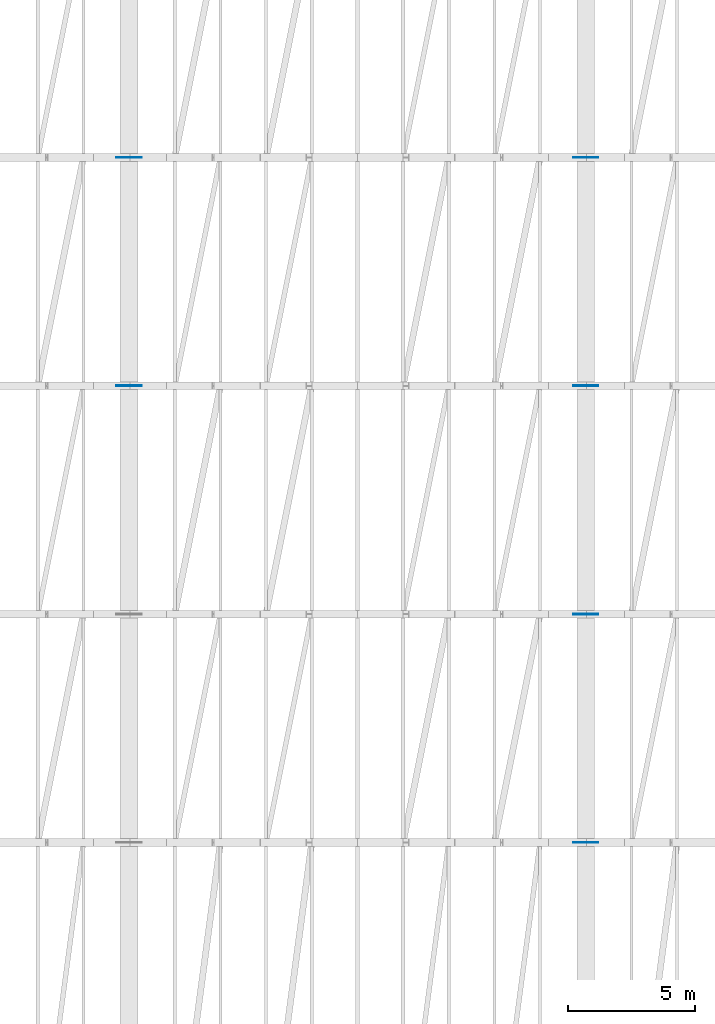
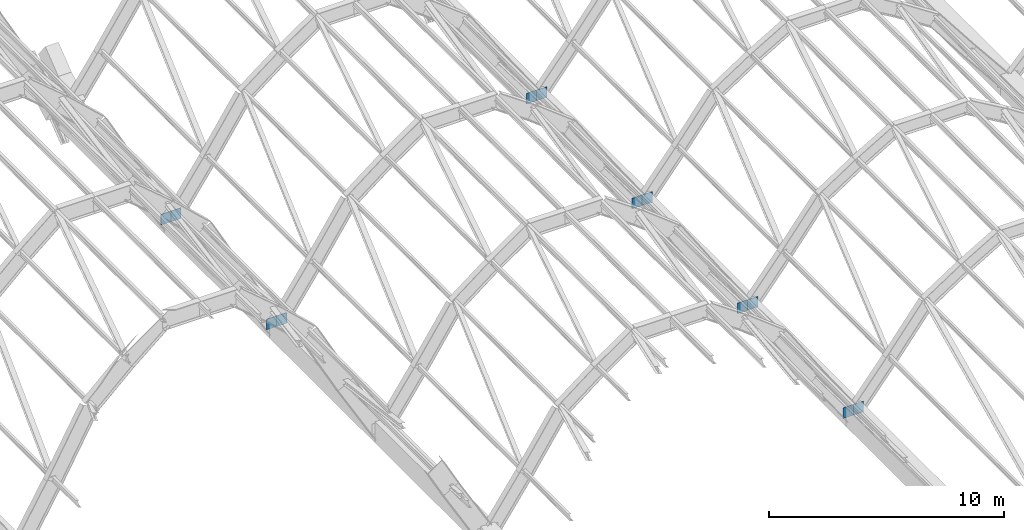
# One storey, part 73 of 86: 12 plates.
"""IFC4 building model written with IfcOpenShell, lengths in metres."""

import ifcopenshell
import ifcopenshell.guid

model = None  # the IFC model being written
_history = None  # IfcOwnerHistory: only IFC2X3 demands one
_inside = {}  # id of a spatial element -> (the spatial element, [elements in it])
_under = {}  # id of a project, library or spatial element -> (it, [spatial elements below it])
_declared = {}  # id of a project -> (the project, [libraries it declares])
_typed = {}  # id of a type object -> (the type object, [elements of that type])
_made_of = {}  # id of a material, layer set ... -> (it, [elements and type objects made of it])


def new_model(schema):
    """Start an empty IFC model of exactly this schema.

    Asked for "IFC4X3", IfcOpenShell would pick the latest addendum, in which some entities
    have other attributes; the version numbers below select the first issue.
    IFC2X3 requires an IfcOwnerHistory on every rooted entity: one is made here for all.
    """
    global model, _history
    if schema == "IFC4X3":
        model = ifcopenshell.file(schema_version=(4, 3, 0, 0))
    else:
        model = ifcopenshell.file(schema=schema)
    _inside.clear()
    _under.clear()
    _declared.clear()
    _typed.clear()
    _made_of.clear()
    _history = None
    if model.schema == "IFC2X3":
        org = make("IfcOrganization", Name="unknown")
        user = make(
            "IfcPersonAndOrganization",
            ThePerson=make("IfcPerson", FamilyName="unknown"),
            TheOrganization=org,
        )
        app = make(
            "IfcApplication",
            ApplicationDeveloper=org,
            Version="unknown",
            ApplicationFullName="unknown",
            ApplicationIdentifier="unknown",
        )
        _history = make(
            "IfcOwnerHistory",
            OwningUser=user,
            OwningApplication=app,
            ChangeAction="ADDED",
            CreationDate=0,
        )
    return model


def make(cls, **values):
    """One entity of the class cls with the attributes given. An attribute that is None is left unset."""
    return model.create_entity(
        cls, **{name: value for name, value in values.items() if value is not None}
    )


def rooted(cls, **values):
    """An entity with a GlobalId (a new one), such as an element, a storey or a relation."""
    return make(cls, GlobalId=ifcopenshell.guid.new(), OwnerHistory=_history, **values)


def si_unit(unit_type, name, prefix=None):
    """IfcSIUnit, for example si_unit("LENGTHUNIT", "METRE", prefix="MILLI")."""
    return make("IfcSIUnit", UnitType=unit_type, Prefix=prefix, Name=name)


def assignment(units):
    """IfcUnitAssignment: the units of a project."""
    return None if units is None else make("IfcUnitAssignment", Units=units)


def point(xyz):
    """IfcCartesianPoint."""
    return None if xyz is None else make("IfcCartesianPoint", Coordinates=xyz)


def direction(xyz):
    """IfcDirection."""
    return None if xyz is None else make("IfcDirection", DirectionRatios=xyz)


def frame(location, z_axis=None, x_axis=None):
    """IfcAxis2Placement3D, a coordinate frame: its origin and axes. An axis left out is left unset."""
    return make(
        "IfcAxis2Placement3D",
        Location=point(location),
        Axis=direction(z_axis),
        RefDirection=direction(x_axis),
    )


def frame_2d(location, x_axis=None):
    """IfcAxis2Placement2D, a coordinate frame in the plane: its origin and x axis."""
    return make(
        "IfcAxis2Placement2D", Location=point(location), RefDirection=direction(x_axis)
    )


def origin():
    """The frame at (0, 0, 0) with its axes left unset."""
    return frame((0.0, 0.0, 0.0))


def origin_2d():
    """The frame at (0, 0) in the plane with its x axis left unset."""
    return frame_2d((0.0, 0.0))


def place(relative_to, where):
    """IfcLocalPlacement: puts the frame where relative to a parent placement (None: the world)."""
    return make(
        "IfcLocalPlacement", PlacementRelTo=relative_to, RelativePlacement=where
    )


def context(
    kind, dimensions, precision=None, world=None, true_north=None, identifier=None
):
    """IfcGeometricRepresentationContext, for example the 3D "Model" context."""
    return make(
        "IfcGeometricRepresentationContext",
        ContextIdentifier=identifier,
        ContextType=kind,
        CoordinateSpaceDimension=dimensions,
        Precision=precision,
        WorldCoordinateSystem=world,
        TrueNorth=true_north,
    )


def subcontext(parent, identifier, kind, view, scale=None):
    """IfcGeometricRepresentationSubContext, for example "Body" below "Model"."""
    return make(
        "IfcGeometricRepresentationSubContext",
        ContextIdentifier=identifier,
        ContextType=kind,
        ParentContext=parent,
        TargetScale=scale,
        TargetView=view,
    )


def project(units=None, contexts=None):
    """IfcProject with its units and contexts."""
    return rooted(
        "IfcProject",
        Name="project",
        RepresentationContexts=contexts,
        UnitsInContext=assignment(units),
    )


def spatial(cls, under=None, at=None, **own):
    """A site, building, storey or space (cls), placed at a placement, below another one or the project."""
    s = rooted(cls, ObjectPlacement=at, **own)
    if under is not None:
        _under.setdefault(under.id(), (under, []))[1].append(s)
    return s


def profile(cls, at=None, kind="AREA", **sizes):
    """A parametric profile (cls). Its sizes go by their IFC names, for example OverallWidth=200.0."""
    return make(cls, ProfileType=kind, Position=at, **sizes)


def rectangle(**sizes):
    """IfcRectangleProfileDef."""
    return profile("IfcRectangleProfileDef", **sizes)


def extrude(swept, where, along, depth):
    """IfcExtrudedAreaSolid: the profile swept, set in the frame where, extruded along a direction by depth."""
    return make(
        "IfcExtrudedAreaSolid",
        SweptArea=swept,
        Position=where,
        ExtrudedDirection=direction(along),
        Depth=depth,
    )


def shape(context_of_items, identifier, shape_type, items):
    """IfcShapeRepresentation: the items that make up one representation, for example the "Body"."""
    return make(
        "IfcShapeRepresentation",
        ContextOfItems=context_of_items,
        RepresentationIdentifier=identifier,
        RepresentationType=shape_type,
        Items=items,
    )


def material(Name=None, Category=None):
    """IfcMaterial."""
    return make("IfcMaterial", Name=Name, Category=Category)


def layer(
    of_material, thickness, ventilated=None, Name=None, Category=None, Priority=None
):
    """IfcMaterialLayer: one layer of a wall or slab, of a material (None: an air gap)."""
    return make(
        "IfcMaterialLayer",
        Material=of_material,
        LayerThickness=thickness,
        IsVentilated=ventilated,
        Name=Name,
        Category=Category,
        Priority=Priority,
    )


def layer_set(layers, Name=None):
    """IfcMaterialLayerSet."""
    return make("IfcMaterialLayerSet", MaterialLayers=layers, LayerSetName=Name)


def made_of(thing, what):
    """Note that an element or type object is made of a material, layer set ...; save() writes the relation."""
    if what is not None:
        _made_of.setdefault(what.id(), (what, []))[1].append(thing)
    return thing


def type_object(cls, material=None, **own):
    """A type object (cls), such as IfcWallType, which elements share."""
    return made_of(rooted(cls, **own), material)


def element(
    cls,
    number,
    at=None,
    inside=None,
    cuts=None,
    type_object=None,
    material=None,
    context=None,
    identifier="Body",
    shape_type=None,
    held_by="IfcProductDefinitionShape",
    body=None,
    shapes=None,
    **own,
):
    """One element of the class cls, such as IfcWall. Its Tag is "e" and its number.

    at: its placement. inside: the storey or other place that contains it. cuts: it is an
    opening in that element (IfcRelVoidsElement). A single representation is given by context,
    identifier, shape_type and body (its items); several are given by shapes. held_by: the class
    of the entity that holds the representations. save() writes the other relations.
    """
    e = rooted(cls, Tag="e%d" % number, ObjectPlacement=at, **own)
    if body is not None:
        shapes = [shape(context, identifier, shape_type, body)]
    if shapes is not None:
        e.Representation = make(held_by, Representations=shapes)
    if inside is not None:
        _inside.setdefault(inside.id(), (inside, []))[1].append(e)
    if cuts is not None:
        rooted(
            "IfcRelVoidsElement", RelatingBuildingElement=cuts, RelatedOpeningElement=e
        )
    if type_object is not None:
        _typed.setdefault(type_object.id(), (type_object, []))[1].append(e)
    return made_of(e, material)


def aggregate(whole, parts):
    """IfcRelAggregates: a whole, such as a stair, and the parts it consists of."""
    return rooted("IfcRelAggregates", RelatingObject=whole, RelatedObjects=parts)


def save(model, path):
    """Write the relations noted so far, then the file.

    IfcRelAggregates (storeys below a building ...), IfcRelContainedInSpatialStructure (elements
    in a storey), IfcRelDefinesByType, IfcRelAssociatesMaterial and IfcRelDeclares: one each for
    every whole, place, type object, material and project.
    """
    for whole, parts in _under.values():
        aggregate(whole, parts)
    for where, things in _inside.values():
        rooted(
            "IfcRelContainedInSpatialStructure",
            RelatedElements=things,
            RelatingStructure=where,
        )
    for kind, things in _typed.values():
        rooted("IfcRelDefinesByType", RelatedObjects=things, RelatingType=kind)
    for what, things in _made_of.values():
        rooted("IfcRelAssociatesMaterial", RelatedObjects=things, RelatingMaterial=what)
    for by, libraries in _declared.values():
        rooted("IfcRelDeclares", RelatingContext=by, RelatedDefinitions=libraries)
    model.write(path)


model = new_model("IFC4")

# Units and contexts
model_context = context("Model", 3, precision=1e-05, world=origin(), true_north=direction((0.0, 1.0)))
body_context = subcontext(model_context, "Body", "Model", "MODEL_VIEW")
ifc_project = project(units=[si_unit("LENGTHUNIT", "METRE"), si_unit("AREAUNIT", "SQUARE_METRE"), si_unit("VOLUMEUNIT", "CUBIC_METRE"), si_unit("PLANEANGLEUNIT", "RADIAN"), si_unit("MASSUNIT", "GRAM", prefix="KILO")], contexts=[model_context])

# Site, building, storey
site_placement = place(None, origin())
site = spatial("IfcSite", under=ifc_project, at=site_placement, CompositionType="ELEMENT")
building_placement = place(site_placement, origin())
building = spatial("IfcBuilding", under=site, at=building_placement, Name="Chuanluo Vaults Station", CompositionType="ELEMENT")
storey_placement = place(building_placement, frame((0.0, 0.0, 14.39990234375)))
storey = spatial("IfcBuildingStorey", under=building, at=storey_placement, Name="L03", CompositionType="ELEMENT", Elevation=14.39990234375)

# Plates
ifc_material = material(Name="Steel Q390C", Category="steel")
ifc_layer = layer(ifc_material, 0.028076171875)
ifc_layer_set = layer_set([ifc_layer], Name="Steel Q390C")
plate_type = type_object("IfcPlateType", Name="PLT-GUS-28", PredefinedType="USERDEFINED", material=ifc_layer_set)
for number, where, z_axis, x_axis, name in (
    (1, (71.75, 85.5, -0.875), (0.0, 0.0, 1.0), (1.0, 0.0, 0.0), "Vault V4 skewback node plate 7-E"),
    (2, (71.75, 94.5, -0.875), (0.0, 0.0, 1.0), (1.0, 0.0, 0.0), "Vault V4 skewback node plate 8-E"),
    (3, (89.75, 67.5, -0.875), (0.0, 0.0, 1.0), (1.0, 0.0, 0.0), "Vault V5 skewback node plate 5-E"),
    (4, (89.75, 76.5, -0.875), (0.0, 0.0, 1.0), (1.0, 0.0, 0.0), "Vault V5 skewback node plate 6-E"),
    (5, (72.25, 85.5, -0.875), (0.0, 0.0, 1.0), (1.0, 0.0, 0.0), "Vault V5 skewback node plate 7-W"),
    (6, (89.75, 85.5, -0.875), (0.0, 0.0, 1.0), (1.0, 0.0, 0.0), "Vault V5 skewback node plate 7-E"),
    (7, (72.25, 94.5, -0.875), (0.0, 0.0, 1.0), (1.0, 0.0, 0.0), "Vault V5 skewback node plate 8-W"),
    (8, (89.75, 94.5, -0.875), (0.0, 0.0, 1.0), (1.0, 0.0, 0.0), "Vault V5 skewback node plate 8-E"),
    (9, (90.25, 67.5, -0.875), (0.0, 0.0, 1.0), (1.0, 0.0, 0.0), "Vault V6 skewback node plate 5-W"),
    (10, (90.25, 76.5, -0.875), (0.0, 0.0, 1.0), (1.0, 0.0, 0.0), "Vault V6 skewback node plate 6-W"),
    (11, (90.25, 85.5, -0.875), (0.0, 0.0, 1.0), (1.0, 0.0, 0.0), "Vault V6 skewback node plate 7-W"),
    (12, (90.25, 94.5, -0.875), (0.0, 0.0, 1.0), (1.0, 0.0, 0.0), "Vault V6 skewback node plate 8-W"),
):
    element("IfcPlate", number, at=place(storey_placement, frame(where, z_axis=z_axis, x_axis=x_axis)), inside=storey, type_object=plate_type, Name=name, ObjectType="GUSSET_PLATE", PredefinedType="USERDEFINED", context=body_context, shape_type="SweptSolid", body=[
        extrude(rectangle(XDim=0.5, YDim=0.028076171875, at=origin_2d()), origin(), (0.0, 0.0, 1.0), 0.550048828125),
    ])

save(model, "model.ifc")
